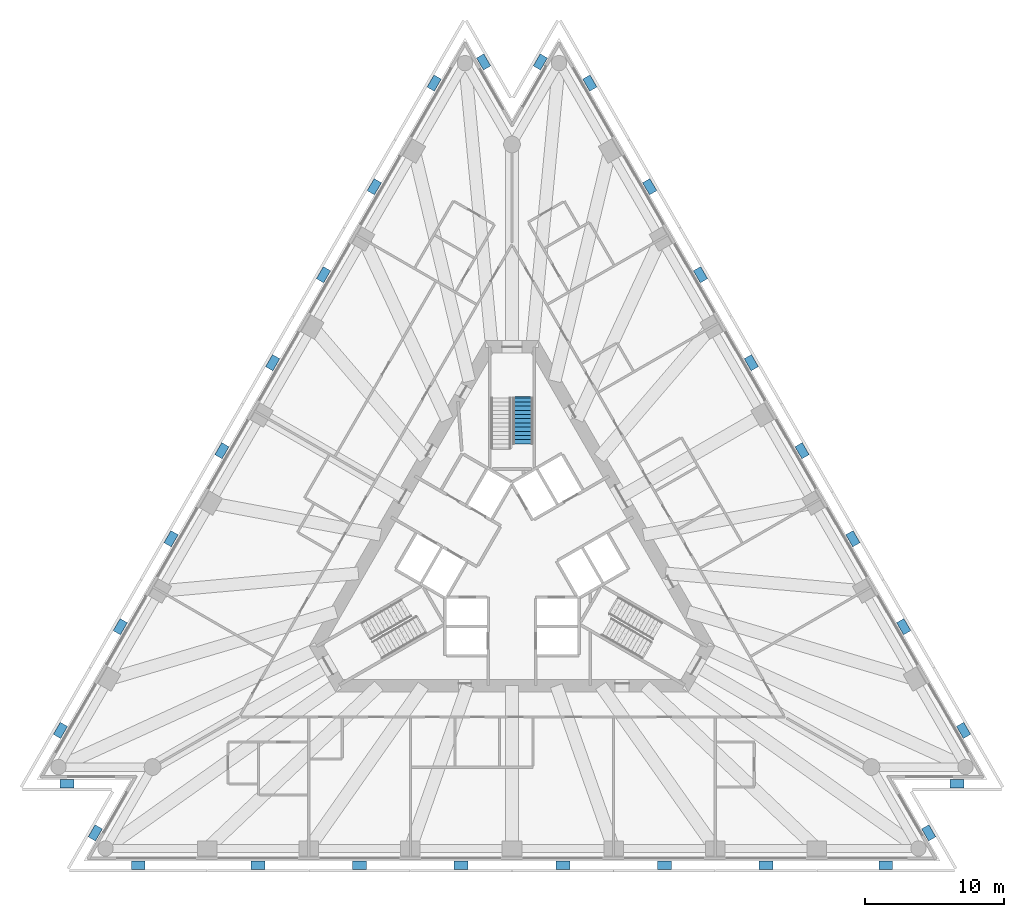
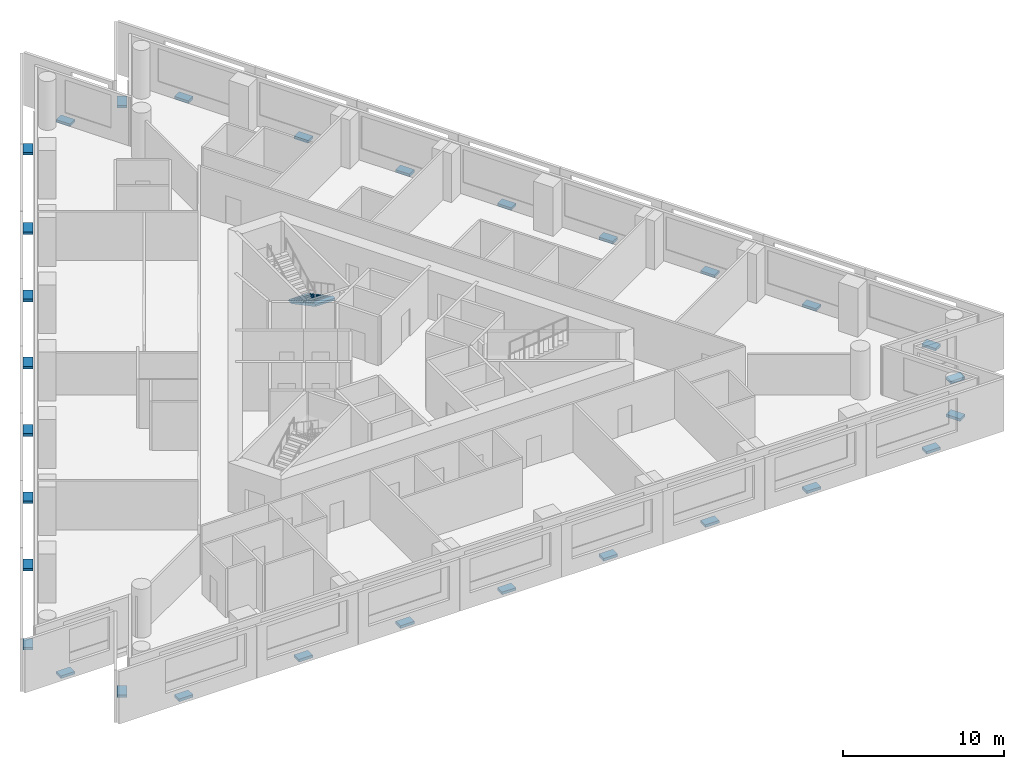
# One storey, part 9 of 11: 30 discrete accessories, 1 stair flight, 1 element without a shape of its own.
"""IFC4 building model written with IfcOpenShell, lengths in metres."""

from ifc_helpers import new_model, si_unit, direction, frame, origin, origin_2d, place, context, subcontext, project, spatial, polyline, rectangle, outline, extrude, material, type_object, element, aggregate, save


model = new_model("IFC4")

# Units and contexts
model_context = context("Model", 3, precision=1e-05, world=origin(), true_north=direction((0.0, 1.0)))
body_context = subcontext(model_context, "Body", "Model", "MODEL_VIEW")
ifc_project = project(units=[si_unit("LENGTHUNIT", "METRE"), si_unit("AREAUNIT", "SQUARE_METRE"), si_unit("VOLUMEUNIT", "CUBIC_METRE"), si_unit("PLANEANGLEUNIT", "RADIAN"), si_unit("MASSUNIT", "GRAM", prefix="KILO")], contexts=[model_context])

# Site, building, storey
site_placement = place(None, origin())
site = spatial("IfcSite", under=ifc_project, at=site_placement, CompositionType="ELEMENT")
building_placement = place(site_placement, origin())
building = spatial("IfcBuilding", under=site, at=building_placement, Name="Triada Interchange Tower", CompositionType="ELEMENT")
storey_placement = place(building_placement, frame((0.0, 0.0, 79.300048828125)))
storey = spatial("IfcBuildingStorey", under=building, at=storey_placement, Name="L17", CompositionType="ELEMENT", Elevation=79.300048828125)

# Stair, stair flight
ifc_material_1 = material(Name="Concrete C35/45", Category="concrete")
stair_type = type_object("IfcStairType", Name="HALF TURN STAIR 1400", PredefinedType="HALF_TURN_STAIR", material=ifc_material_1)
stair_placement = place(storey_placement, origin())
stair = element("IfcStair", 1, at=stair_placement, inside=storey, type_object=stair_type, Name="Exit stair S15-1", PredefinedType="HALF_TURN_STAIR")
stair_flight_type = type_object("IfcStairFlightType", Name="STRAIGHT STAIR FLIGHT 1400", PredefinedType="STRAIGHT", material=ifc_material_1)
stair_flight_placement = place(storey_placement, frame((0.800048828125, 11.60009765625, 0.0), z_axis=(0.0, 0.0, 1.0), x_axis=(0.0, -1.0, 0.0)))
stair_flight = element("IfcStairFlight", 2, at=stair_flight_placement, type_object=stair_flight_type, Name="S15-1 flight 1", NumberOfRisers=12, NumberOfTreads=11, PredefinedType="STRAIGHT", RiserHeight=0.16, TreadLength=0.3, context=body_context, shape_type="SweptSolid", body=[
    extrude(outline(polyline([(-0.10009765625, 0.0), (-0.10009765625, 0.02001953125), (0.0, 0.02001953125), (0.0, 0.159912109375), (0.300048828125, 0.159912109375), (0.300048828125, 0.320068359375), (0.60009765625, 0.320068359375), (0.60009765625, 0.47998046875), (0.89990234375, 0.47998046875), (0.89990234375, 0.639892578125), (1.199951171875, 0.639892578125), (1.199951171875, 0.800048828125), (1.5, 0.800048828125), (1.5, 0.9599609375), (1.800048828125, 0.9599609375), (1.800048828125, 1.1201171875), (2.10009765625, 1.1201171875), (2.10009765625, 1.280029296875), (2.39990234375, 1.280029296875), (2.39990234375, 1.43994140625), (2.699951171875, 1.43994140625), (2.699951171875, 1.60009765625), (3.0, 1.60009765625), (3.0, 1.760009765625), (3.300048828125, 1.760009765625), (3.303955078125, 1.760009765625), (3.303955078125, 1.919921875), (3.303955078125, 1.590087890625), (0.318603515625, 0.0), (-0.10009765625, 0.0)])), frame((0.0, 0.699951171875, 0.0), z_axis=(0.0, -1.0, 0.0), x_axis=(1.0, 0.0, 0.0)), (0.0, 0.0, 1.0), 0.46533203125),
    extrude(outline(polyline([(-0.10009765625, 0.0), (-0.10009765625, 0.02001953125), (0.0, 0.02001953125), (0.0, 0.159912109375), (0.300048828125, 0.159912109375), (0.300048828125, 0.320068359375), (0.60009765625, 0.320068359375), (0.60009765625, 0.47998046875), (0.89990234375, 0.47998046875), (0.89990234375, 0.639892578125), (1.199951171875, 0.639892578125), (1.199951171875, 0.800048828125), (1.5, 0.800048828125), (1.5, 0.9599609375), (1.800048828125, 0.9599609375), (1.800048828125, 1.1201171875), (2.10009765625, 1.1201171875), (2.10009765625, 1.280029296875), (2.39990234375, 1.280029296875), (2.39990234375, 1.43994140625), (2.699951171875, 1.43994140625), (2.699951171875, 1.60009765625), (3.0, 1.60009765625), (3.0, 1.760009765625), (3.300048828125, 1.760009765625), (3.303955078125, 1.760009765625), (3.303955078125, 1.919921875), (3.303955078125, 1.590087890625), (0.318603515625, 0.0), (-0.10009765625, 0.0)])), frame((0.0, 0.232666015625, 0.0), z_axis=(0.0, -1.0, 0.0), x_axis=(1.0, 0.0, 0.0)), (0.0, 0.0, 1.0), 0.46533203125),
    extrude(outline(polyline([(-0.10009765625, 0.0), (-0.10009765625, 0.02001953125), (0.0, 0.02001953125), (0.0, 0.159912109375), (0.300048828125, 0.159912109375), (0.300048828125, 0.320068359375), (0.60009765625, 0.320068359375), (0.60009765625, 0.47998046875), (0.89990234375, 0.47998046875), (0.89990234375, 0.639892578125), (1.199951171875, 0.639892578125), (1.199951171875, 0.800048828125), (1.5, 0.800048828125), (1.5, 0.9599609375), (1.800048828125, 0.9599609375), (1.800048828125, 1.1201171875), (2.10009765625, 1.1201171875), (2.10009765625, 1.280029296875), (2.39990234375, 1.280029296875), (2.39990234375, 1.43994140625), (2.699951171875, 1.43994140625), (2.699951171875, 1.60009765625), (3.0, 1.60009765625), (3.0, 1.760009765625), (3.300048828125, 1.760009765625), (3.303955078125, 1.760009765625), (3.303955078125, 1.919921875), (3.303955078125, 1.590087890625), (0.318603515625, 0.0), (-0.10009765625, 0.0)])), frame((0.0, -0.234619140625, 0.0), z_axis=(0.0, -1.0, 0.0), x_axis=(1.0, 0.0, 0.0)), (0.0, 0.0, 1.0), 0.46533203125),
])
aggregate(stair, [stair_flight])

# Discrete accessories
ifc_material_2 = material(Name="Steel S355", Category="steel")
discrete_accessory_type = type_object("IfcDiscreteAccessoryType", Name="Steel bracket outer skin", PredefinedType="BRACKET", material=ifc_material_2)
for number, where, z_axis, x_axis, name in (
    (3, (-5.5830078125, 34.175048828125, -0.27001953125), (0.0, 0.0, 1.0), (-0.866027245101, 0.499996810733, 0.0), "Bracket L17 01"),
    (4, (-9.8759765625, 26.739013671875, -0.27001953125), (0.0, 0.0, 1.0), (-0.866027245101, 0.499996810733, 0.0), "Bracket L17 02"),
    (5, (-13.52001953125, 20.427978515625, -0.27001953125), (0.0, 0.0, 1.0), (-0.866027245101, 0.499996810733, 0.0), "Bracket L17 03"),
    (6, (-17.1630859375, 14.116943359375, -0.27001953125), (0.0, 0.0, 1.0), (-0.866027245101, 0.499996810733, 0.0), "Bracket L17 04"),
    (7, (-20.806884765625, 7.804931640625, -0.27001953125), (0.0, 0.0, 1.0), (-0.866027245101, 0.499996810733, 0.0), "Bracket L17 05"),
    (8, (-24.450927734375, 1.493896484375, -0.27001953125), (0.0, 0.0, 1.0), (-0.866027245101, 0.499996810733, 0.0), "Bracket L17 06"),
    (9, (-28.094970703125, -4.81689453125, -0.27001953125), (0.0, 0.0, 1.0), (-0.866027245101, 0.499996810733, 0.0), "Bracket L17 07"),
    (10, (-32.387939453125, -12.2529296875, -0.27001953125), (0.0, 0.0, 1.0), (-0.866027245101, 0.499996810733, 0.0), "Bracket L17 08"),
    (11, (-31.922119140625, -16.083984375, -0.27001953125), (0.0, 0.0, 1.0), (0.0, -1.0, 0.0), "Bracket L17 09"),
    (12, (-29.889892578125, -19.60302734375, -0.27001953125), (0.0, 0.0, 1.0), (-0.866062070823, 0.499936485448, 0.0), "Bracket L17 10"),
    (13, (-26.804931640625, -21.922119140625, -0.27001953125), (0.0, 0.0, 1.0), (0.0, -1.0, 0.0), "Bracket L17 11"),
    (14, (-18.218994140625, -21.922119140625, -0.27001953125), (0.0, 0.0, 1.0), (0.0, -1.0, 0.0), "Bracket L17 12"),
    (15, (-10.930908203125, -21.922119140625, -0.27001953125), (0.0, 0.0, 1.0), (0.0, -1.0, 0.0), "Bracket L17 13"),
    (16, (-3.64404296875, -21.922119140625, -0.27001953125), (0.0, 0.0, 1.0), (0.0, -1.0, 0.0), "Bracket L17 14"),
    (17, (3.64404296875, -21.922119140625, -0.27001953125), (0.0, 0.0, 1.0), (0.0, -1.0, 0.0), "Bracket L17 15"),
    (18, (10.930908203125, -21.922119140625, -0.27001953125), (0.0, 0.0, 1.0), (0.0, -1.0, 0.0), "Bracket L17 16"),
    (19, (18.218994140625, -21.922119140625, -0.27001953125), (0.0, 0.0, 1.0), (0.0, -1.0, 0.0), "Bracket L17 17"),
    (20, (26.804931640625, -21.922119140625, -0.27001953125), (0.0, 0.0, 1.0), (0.0, -1.0, 0.0), "Bracket L17 18"),
    (21, (29.889892578125, -19.60302734375, -0.27001953125), (0.0, 0.0, 1.0), (0.866062070823, 0.499936485448, 0.0), "Bracket L17 19"),
    (22, (31.922119140625, -16.083984375, -0.27001953125), (0.0, 0.0, 1.0), (0.0, -1.0, 0.0), "Bracket L17 20"),
    (23, (32.387939453125, -12.2529296875, -0.27001953125), (0.0, 0.0, 1.0), (0.866027245101, 0.499996810733, 0.0), "Bracket L17 21"),
    (24, (28.094970703125, -4.81689453125, -0.27001953125), (0.0, 0.0, 1.0), (0.866027245101, 0.499996810733, 0.0), "Bracket L17 22"),
    (25, (24.450927734375, 1.493896484375, -0.27001953125), (0.0, 0.0, 1.0), (0.866027245101, 0.499996810733, 0.0), "Bracket L17 23"),
    (26, (20.806884765625, 7.804931640625, -0.27001953125), (0.0, 0.0, 1.0), (0.866027245101, 0.499996810733, 0.0), "Bracket L17 24"),
    (27, (17.1630859375, 14.116943359375, -0.27001953125), (0.0, 0.0, 1.0), (0.866027245101, 0.499996810733, 0.0), "Bracket L17 25"),
    (28, (13.52001953125, 20.427978515625, -0.27001953125), (0.0, 0.0, 1.0), (0.866027245101, 0.499996810733, 0.0), "Bracket L17 26"),
    (29, (9.8759765625, 26.739013671875, -0.27001953125), (0.0, 0.0, 1.0), (0.866027245101, 0.499996810733, 0.0), "Bracket L17 27"),
    (30, (5.5830078125, 34.175048828125, -0.27001953125), (0.0, 0.0, 1.0), (0.866027245101, 0.499996810733, 0.0), "Bracket L17 28"),
    (31, (2.031982421875, 35.68701171875, -0.27001953125), (0.0, 0.0, 1.0), (-0.865997834993, 0.500047747508, 0.0), "Bracket L17 29"),
    (32, (-2.031982421875, 35.68701171875, -0.27001953125), (0.0, 0.0, 1.0), (0.865997834993, 0.500047747508, 0.0), "Bracket L17 30"),
):
    element("IfcDiscreteAccessory", number, at=place(storey_placement, frame(where, z_axis=z_axis, x_axis=x_axis)), inside=storey, type_object=discrete_accessory_type, Name=name, PredefinedType="BRACKET", context=body_context, shape_type="SweptSolid", body=[
        extrude(rectangle(XDim=0.60009765625, YDim=1.0, at=origin_2d()), origin(), (0.0, 0.0, 1.0), 0.199951171875),
    ])

save(model, "model.ifc")
